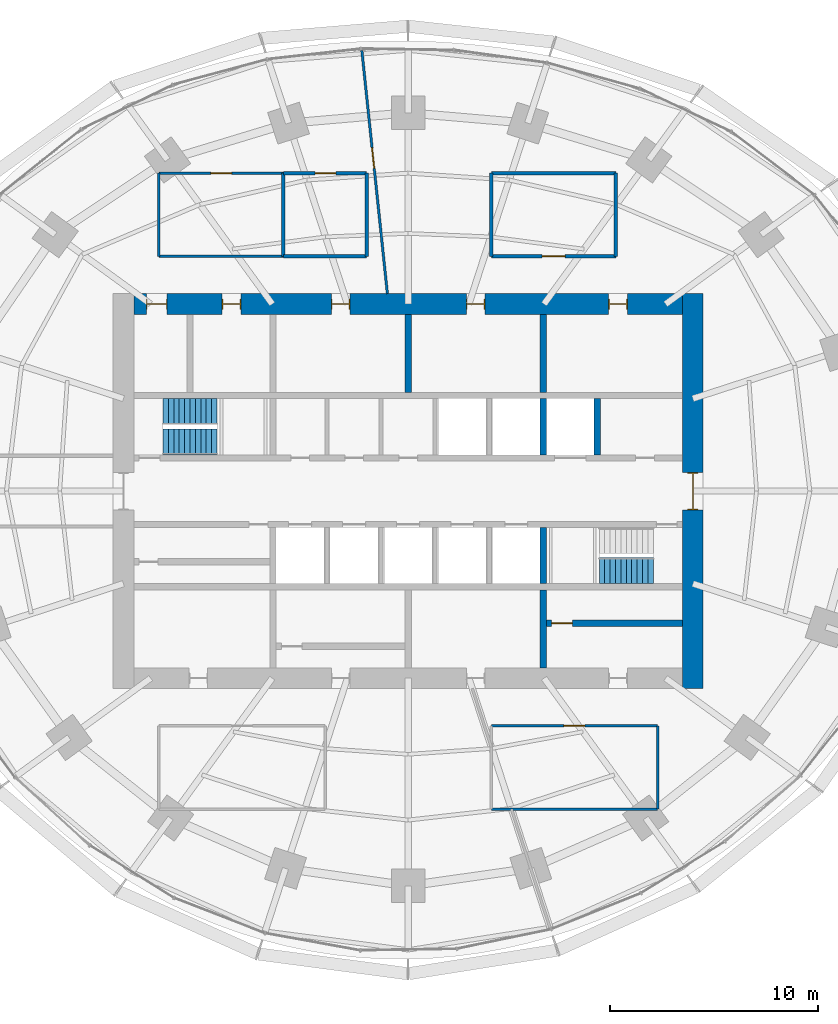
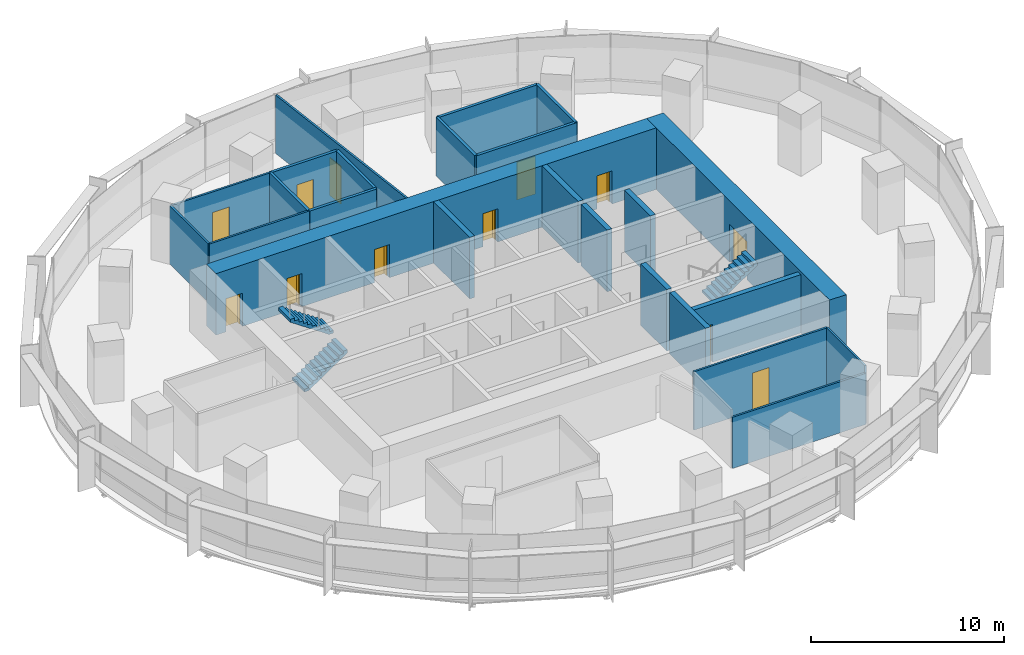
# One storey, part 11 of 14: 24 walls, 12 doors, 3 stair flights, 12 openings, 2 elements without a shape of their own.
"""IFC4 building model written with IfcOpenShell, lengths in metres."""

from ifc_helpers import new_model, si_unit, direction, frame, frame_2d, origin, place, context, subcontext, project, spatial, polyline, rectangle, outline, extrude, material, layer, layer_set, type_object, element, fill, aggregate, save


model = new_model("IFC4")

# Units and contexts
model_context = context("Model", 3, precision=1e-05, world=origin(), true_north=direction((0.0, 1.0)))
body_context = subcontext(model_context, "Body", "Model", "MODEL_VIEW")
ifc_project = project(units=[si_unit("LENGTHUNIT", "METRE"), si_unit("AREAUNIT", "SQUARE_METRE"), si_unit("VOLUMEUNIT", "CUBIC_METRE"), si_unit("PLANEANGLEUNIT", "RADIAN"), si_unit("MASSUNIT", "GRAM", prefix="KILO")], contexts=[model_context])

# Site, building, storey
site_placement = place(None, origin())
site = spatial("IfcSite", under=ifc_project, at=site_placement, CompositionType="ELEMENT")
building_placement = place(site_placement, origin())
building = spatial("IfcBuilding", under=site, at=building_placement, Name="Marramba Exchange Tower", CompositionType="ELEMENT")
storey_placement = place(building_placement, frame((0.0, 0.0, 162.60009765625)))
storey = spatial("IfcBuildingStorey", under=building, at=storey_placement, Name="L39", CompositionType="ELEMENT", Elevation=162.60009765625)

# Wall
ifc_material_1 = material(Name="Plasterboard on staggered double steel studs, acoustic insulation", Category="steel")
ifc_layer_1 = layer(ifc_material_1, 0.169921875)
ifc_layer_set_1 = layer_set([ifc_layer_1], Name="Acoustic partition 170")
wall_type_1 = type_object("IfcWallType", Name="Acoustic partition 170", PredefinedType="PARTITIONING", material=ifc_layer_set_1)
wall_1_placement = place(storey_placement, frame((10.0, 15.300048828125, 0.0), z_axis=(0.0, 0.0, 1.0), x_axis=(0.0, -1.0, 0.0)))
element("IfcWall", 1, at=wall_1_placement, inside=storey, type_object=wall_type_1, Name="Acoustic partition L39 12", PredefinedType="PARTITIONING", context=body_context, shape_type="SweptSolid", body=[
    extrude(rectangle(XDim=4.0, YDim=0.169921875, at=frame_2d((2.0, 0.0))), origin(), (0.0, 0.0, 1.0), 3.699951171875),
])

# Wall, opening, door
wall_2_placement = place(storey_placement, frame((10.0, 11.300048828125, 0.0), z_axis=(0.0, 0.0, 1.0), x_axis=(-1.0, 0.0, 0.0)))
wall_2 = element("IfcWall", 2, at=wall_2_placement, inside=storey, type_object=wall_type_1, Name="Acoustic partition L39 13", PredefinedType="PARTITIONING", context=body_context, shape_type="SweptSolid", body=[
    extrude(rectangle(XDim=6.0, YDim=0.169921875, at=frame_2d((3.0, 0.0))), origin(), (0.0, 0.0, 1.0), 3.699951171875),
])
opening_1_placement = place(wall_2_placement, frame((2.449951171875, 0.0, 0.0)))
opening_1 = element("IfcOpeningElement", 3, at=opening_1_placement, cuts=wall_2, Name="Opening D15", PredefinedType="OPENING", context=body_context, shape_type="SweptSolid", body=[
    extrude(rectangle(XDim=1.10009765625, YDim=2.39990234375, at=frame_2d((0.550048828125, 1.199951171875))), frame((0.0, 0.094970703125, 0.0), z_axis=(0.0, -1.0, 0.0), x_axis=(1.0, 0.0, 0.0)), (0.0, 0.0, 1.0), 0.18994140625),
])
ifc_material_2 = material(Name="Timber door", Category="wood")
door_type_1 = type_object("IfcDoorType", Name="Glazed meeting room door 1100x2400", OperationType="SINGLE_SWING_LEFT", PredefinedType="DOOR", material=ifc_material_2)
door_1_placement = place(opening_1_placement, frame((1.10009765625, 0.0, 0.0), z_axis=(0.0, 0.0, 1.0), x_axis=(-1.0, 0.0, 0.0)))
door_1 = element("IfcDoor", 4, at=door_1_placement, inside=storey, type_object=door_type_1, Name="D15 Meeting Room L39", OperationType="SINGLE_SWING_RIGHT", OverallHeight=2.39990234375, OverallWidth=1.10009765625, PredefinedType="DOOR", context=body_context, shape_type="SweptSolid", body=[
    extrude(rectangle(XDim=1.10009765625, YDim=2.39990234375, at=frame_2d((0.550048828125, 1.199951171875))), frame((0.0, 0.025146484375, 0.0), z_axis=(0.0, -1.0, 0.0), x_axis=(1.0, 0.0, 0.0)), (0.0, 0.0, 1.0), 0.050048828125),
])
fill(opening_1, door_1)

# Walls
wall_3_placement = place(storey_placement, frame((4.0, 15.300048828125, 0.0), z_axis=(0.0, 0.0, 1.0), x_axis=(1.0, 0.0, 0.0)))
element("IfcWall", 5, at=wall_3_placement, inside=storey, type_object=wall_type_1, Name="Acoustic partition L39 14", PredefinedType="PARTITIONING", context=body_context, shape_type="SweptSolid", body=[
    extrude(rectangle(XDim=6.0, YDim=0.169921875, at=frame_2d((3.0, 0.0))), origin(), (0.0, 0.0, 1.0), 3.699951171875),
])
for number, where, z_axis, x_axis, name in (
    (6, (4.0, 11.300048828125, 0.0), (0.0, 0.0, 1.0), (0.0, 1.0, 0.0), "Acoustic partition L39 15"),
    (7, (-2.0, 15.300048828125, 0.0), (0.0, 0.0, 1.0), (0.0, -1.0, 0.0), "Acoustic partition L39 17"),
):
    element("IfcWall", number, at=place(storey_placement, frame(where, z_axis=z_axis, x_axis=x_axis)), inside=storey, type_object=wall_type_1, Name=name, PredefinedType="PARTITIONING", context=body_context, shape_type="SweptSolid", body=[
        extrude(rectangle(XDim=4.0, YDim=0.169921875, at=frame_2d((2.0, 0.0))), origin(), (0.0, 0.0, 1.0), 3.699951171875),
    ])

# Wall, opening, door
wall_4_placement = place(storey_placement, frame((-6.0, 15.300048828125, 0.0), z_axis=(0.0, 0.0, 1.0), x_axis=(1.0, 0.0, 0.0)))
wall_4 = element("IfcWall", 8, at=wall_4_placement, inside=storey, type_object=wall_type_1, Name="Acoustic partition L39 18", PredefinedType="PARTITIONING", context=body_context, shape_type="SweptSolid", body=[
    extrude(rectangle(XDim=4.0, YDim=0.169921875, at=frame_2d((2.0, 0.0))), origin(), (0.0, 0.0, 1.0), 3.699951171875),
])
opening_2_placement = place(wall_4_placement, frame((1.52587890625, 0.0, 0.0)))
opening_2 = element("IfcOpeningElement", 9, at=opening_2_placement, cuts=wall_4, Name="Opening D9", PredefinedType="OPENING", context=body_context, shape_type="SweptSolid", body=[
    extrude(rectangle(XDim=1.0, YDim=2.39990234375, at=frame_2d((0.5, 1.199951171875))), frame((0.0, 0.094970703125, 0.0), z_axis=(0.0, -1.0, 0.0), x_axis=(1.0, 0.0, 0.0)), (0.0, 0.0, 1.0), 0.18994140625),
])
door_type_2 = type_object("IfcDoorType", Name="Room door 1000x2400", OperationType="SINGLE_SWING_LEFT", PredefinedType="DOOR", material=ifc_material_2)
door_2_placement = place(opening_2_placement, frame((1.0, 0.0, 0.0), z_axis=(0.0, 0.0, 1.0), x_axis=(-1.0, 0.0, 0.0)))
door_2 = element("IfcDoor", 10, at=door_2_placement, inside=storey, type_object=door_type_2, Name="D9 Quiet Room L39", OperationType="SINGLE_SWING_LEFT", OverallHeight=2.39990234375, OverallWidth=1.0, PredefinedType="DOOR", context=body_context, shape_type="SweptSolid", body=[
    extrude(rectangle(XDim=1.0, YDim=2.39990234375, at=frame_2d((0.5, 1.199951171875))), frame((0.0, 0.025146484375, 0.0), z_axis=(0.0, -1.0, 0.0), x_axis=(1.0, 0.0, 0.0)), (0.0, 0.0, 1.0), 0.050048828125),
])
fill(opening_2, door_2)

# Walls
for number, where, z_axis, x_axis, name in (
    (11, (-2.0, 11.300048828125, 0.0), (0.0, 0.0, 1.0), (-1.0, 0.0, 0.0), "Acoustic partition L39 19"),
    (12, (-6.0, 15.300048828125, 0.0), (0.0, 0.0, 1.0), (0.0, -1.0, 0.0), "Acoustic partition L39 20"),
):
    element("IfcWall", number, at=place(storey_placement, frame(where, z_axis=z_axis, x_axis=x_axis)), inside=storey, type_object=wall_type_1, Name=name, PredefinedType="PARTITIONING", context=body_context, shape_type="SweptSolid", body=[
        extrude(rectangle(XDim=4.0, YDim=0.169921875, at=frame_2d((2.0, 0.0))), origin(), (0.0, 0.0, 1.0), 3.699951171875),
    ])

# Wall, openings, doors
ifc_material_3 = material(Name="Concrete N50", Category="concrete")
ifc_layer_2 = layer(ifc_material_3, 1.0)
ifc_layer_set_2 = layer_set([ifc_layer_2], Name="Core wall 1000")
wall_type_2 = type_object("IfcWallType", Name="Core wall 1000", PredefinedType="SHEAR", material=ifc_layer_set_2)
wall_5_placement = place(storey_placement, frame((13.199951171875, 9.0, 0.0), z_axis=(0.0, 0.0, 1.0), x_axis=(-1.0, 0.0, 0.0)))
wall_5 = element("IfcWall", 13, at=wall_5_placement, inside=storey, type_object=wall_type_2, Name="Core wall N L39", PredefinedType="SHEAR", context=body_context, shape_type="SweptSolid", body=[
    extrude(rectangle(XDim=26.39990234375, YDim=1.0, at=frame_2d((13.199951171875, 0.0))), origin(), (0.0, 0.0, 1.0), 3.89990234375),
])
opening_3_placement = place(wall_5_placement, frame((2.64990234375, 0.0, 0.0)))
opening_3 = element("IfcOpeningElement", 14, at=opening_3_placement, cuts=wall_5, Name="Opening D5", PredefinedType="OPENING", context=body_context, shape_type="SweptSolid", body=[
    extrude(rectangle(XDim=0.89990234375, YDim=2.10009765625, at=frame_2d((0.449951171875, 1.050048828125))), frame((0.0, 0.510009765625, 0.0), z_axis=(0.0, -1.0, 0.0), x_axis=(1.0, 0.0, 0.0)), (0.0, 0.0, 1.0), 1.02001953125),
])
opening_4_placement = place(wall_5_placement, frame((9.5, 0.0, 0.0)))
opening_4 = element("IfcOpeningElement", 15, at=opening_4_placement, cuts=wall_5, Name="Opening D3", PredefinedType="OPENING", context=body_context, shape_type="SweptSolid", body=[
    extrude(rectangle(XDim=0.89990234375, YDim=2.10009765625, at=frame_2d((0.449951171875, 1.050048828125))), frame((0.0, 0.510009765625, 0.0), z_axis=(0.0, -1.0, 0.0), x_axis=(1.0, 0.0, 0.0)), (0.0, 0.0, 1.0), 1.02001953125),
])
opening_5_placement = place(wall_5_placement, frame((16.0, 0.0, 0.0)))
opening_5 = element("IfcOpeningElement", 16, at=opening_5_placement, cuts=wall_5, Name="Opening D3", PredefinedType="OPENING", context=body_context, shape_type="SweptSolid", body=[
    extrude(rectangle(XDim=0.89990234375, YDim=2.10009765625, at=frame_2d((0.449951171875, 1.050048828125))), frame((0.0, 0.510009765625, 0.0), z_axis=(0.0, -1.0, 0.0), x_axis=(1.0, 0.0, 0.0)), (0.0, 0.0, 1.0), 1.02001953125),
])
opening_6_placement = place(wall_5_placement, frame((21.25, 0.0, 0.0)))
opening_6 = element("IfcOpeningElement", 17, at=opening_6_placement, cuts=wall_5, Name="Opening D5", PredefinedType="OPENING", context=body_context, shape_type="SweptSolid", body=[
    extrude(rectangle(XDim=0.89990234375, YDim=2.10009765625, at=frame_2d((0.449951171875, 1.050048828125))), frame((0.0, 0.510009765625, 0.0), z_axis=(0.0, -1.0, 0.0), x_axis=(1.0, 0.0, 0.0)), (0.0, 0.0, 1.0), 1.02001953125),
])
opening_7_placement = place(wall_5_placement, frame((24.800048828125, 0.0, 0.0)))
opening_7 = element("IfcOpeningElement", 18, at=opening_7_placement, cuts=wall_5, Name="Opening D4", PredefinedType="OPENING", context=body_context, shape_type="SweptSolid", body=[
    extrude(rectangle(XDim=1.0, YDim=2.10009765625, at=frame_2d((0.5, 1.050048828125))), frame((0.0, 0.510009765625, 0.0), z_axis=(0.0, -1.0, 0.0), x_axis=(1.0, 0.0, 0.0)), (0.0, 0.0, 1.0), 1.02001953125),
])
ifc_material_4 = material(Name="Steel-framed door", Category="steel")
door_type_3 = type_object("IfcDoorType", Name="Accessible toilet door 1000x2100", OperationType="SINGLE_SWING_LEFT", PredefinedType="DOOR", material=ifc_material_4)
door_3_placement = place(opening_7_placement, origin())
door_3 = element("IfcDoor", 19, at=door_3_placement, inside=storey, type_object=door_type_3, Name="D4 awc L39", OperationType="SINGLE_SWING_RIGHT", OverallHeight=2.10009765625, OverallWidth=1.0, PredefinedType="DOOR", context=body_context, shape_type="SweptSolid", body=[
    extrude(rectangle(XDim=0.919921875, YDim=2.06005859375, at=frame_2d((0.5, 1.030029296875))), frame((0.0, 0.02490234375, 0.0), z_axis=(0.0, -1.0, 0.0), x_axis=(1.0, 0.0, 0.0)), (0.0, 0.0, 1.0), 0.050048828125),
    extrude(rectangle(XDim=0.04, YDim=2.10009765625, at=frame_2d((0.02001953125, 1.050048828125))), frame((0.0, 0.25, 0.0), z_axis=(0.0, -1.0, 0.0), x_axis=(1.0, 0.0, 0.0)), (0.0, 0.0, 1.0), 0.5),
    extrude(rectangle(XDim=0.04, YDim=2.10009765625, at=frame_2d((0.97998046875, 1.050048828125))), frame((0.0, 0.25, 0.0), z_axis=(0.0, -1.0, 0.0), x_axis=(1.0, 0.0, 0.0)), (0.0, 0.0, 1.0), 0.5),
    extrude(rectangle(XDim=0.919921875, YDim=0.04, at=frame_2d((0.5, 2.080078125))), frame((0.0, 0.25, 0.0), z_axis=(0.0, -1.0, 0.0), x_axis=(1.0, 0.0, 0.0)), (0.0, 0.0, 1.0), 0.5),
])
fill(opening_7, door_3)
door_type_4 = type_object("IfcDoorType", Name="Service door 900x2100", OperationType="SINGLE_SWING_LEFT", PredefinedType="DOOR", material=ifc_material_4)
door_4_placement = place(opening_3_placement, origin())
door_4 = element("IfcDoor", 20, at=door_4_placement, inside=storey, type_object=door_type_4, Name="D5 comms L39", OperationType="SINGLE_SWING_LEFT", OverallHeight=2.10009765625, OverallWidth=0.89990234375, PredefinedType="DOOR", context=body_context, shape_type="SweptSolid", body=[
    extrude(rectangle(XDim=0.81982421875, YDim=2.06005859375, at=frame_2d((0.449951171875, 1.030029296875))), frame((0.0, 0.02490234375, 0.0), z_axis=(0.0, -1.0, 0.0), x_axis=(1.0, 0.0, 0.0)), (0.0, 0.0, 1.0), 0.050048828125),
    extrude(rectangle(XDim=0.04, YDim=2.10009765625, at=frame_2d((0.02001953125, 1.050048828125))), frame((0.0, 0.25, 0.0), z_axis=(0.0, -1.0, 0.0), x_axis=(1.0, 0.0, 0.0)), (0.0, 0.0, 1.0), 0.5),
    extrude(rectangle(XDim=0.04, YDim=2.10009765625, at=frame_2d((0.8798828125, 1.050048828125))), frame((0.0, 0.25, 0.0), z_axis=(0.0, -1.0, 0.0), x_axis=(1.0, 0.0, 0.0)), (0.0, 0.0, 1.0), 0.5),
    extrude(rectangle(XDim=0.81982421875, YDim=0.04, at=frame_2d((0.449951171875, 2.080078125))), frame((0.0, 0.25, 0.0), z_axis=(0.0, -1.0, 0.0), x_axis=(1.0, 0.0, 0.0)), (0.0, 0.0, 1.0), 0.5),
])
fill(opening_3, door_4)
door_5_placement = place(opening_6_placement, origin())
door_5 = element("IfcDoor", 21, at=door_5_placement, inside=storey, type_object=door_type_4, Name="D5 cleaner L39", OperationType="SINGLE_SWING_RIGHT", OverallHeight=2.10009765625, OverallWidth=0.89990234375, PredefinedType="DOOR", context=body_context, shape_type="SweptSolid", body=[
    extrude(rectangle(XDim=0.81982421875, YDim=2.06005859375, at=frame_2d((0.449951171875, 1.030029296875))), frame((0.0, 0.02490234375, 0.0), z_axis=(0.0, -1.0, 0.0), x_axis=(1.0, 0.0, 0.0)), (0.0, 0.0, 1.0), 0.050048828125),
    extrude(rectangle(XDim=0.04, YDim=2.10009765625, at=frame_2d((0.02001953125, 1.050048828125))), frame((0.0, 0.25, 0.0), z_axis=(0.0, -1.0, 0.0), x_axis=(1.0, 0.0, 0.0)), (0.0, 0.0, 1.0), 0.5),
    extrude(rectangle(XDim=0.04, YDim=2.10009765625, at=frame_2d((0.8798828125, 1.050048828125))), frame((0.0, 0.25, 0.0), z_axis=(0.0, -1.0, 0.0), x_axis=(1.0, 0.0, 0.0)), (0.0, 0.0, 1.0), 0.5),
    extrude(rectangle(XDim=0.81982421875, YDim=0.04, at=frame_2d((0.449951171875, 2.080078125))), frame((0.0, 0.25, 0.0), z_axis=(0.0, -1.0, 0.0), x_axis=(1.0, 0.0, 0.0)), (0.0, 0.0, 1.0), 0.5),
])
fill(opening_6, door_5)
door_type_5 = type_object("IfcDoorType", Name="Toilet door 900x2100", OperationType="SINGLE_SWING_LEFT", PredefinedType="DOOR", material=ifc_material_4)
door_6_placement = place(opening_4_placement, origin())
door_6 = element("IfcDoor", 22, at=door_6_placement, inside=storey, type_object=door_type_5, Name="D3 wc-f L39", OperationType="SINGLE_SWING_RIGHT", OverallHeight=2.10009765625, OverallWidth=0.89990234375, PredefinedType="DOOR", context=body_context, shape_type="SweptSolid", body=[
    extrude(rectangle(XDim=0.81982421875, YDim=2.06005859375, at=frame_2d((0.449951171875, 1.030029296875))), frame((0.0, 0.02490234375, 0.0), z_axis=(0.0, -1.0, 0.0), x_axis=(1.0, 0.0, 0.0)), (0.0, 0.0, 1.0), 0.050048828125),
    extrude(rectangle(XDim=0.04, YDim=2.10009765625, at=frame_2d((0.02001953125, 1.050048828125))), frame((0.0, 0.25, 0.0), z_axis=(0.0, -1.0, 0.0), x_axis=(1.0, 0.0, 0.0)), (0.0, 0.0, 1.0), 0.5),
    extrude(rectangle(XDim=0.04, YDim=2.10009765625, at=frame_2d((0.8798828125, 1.050048828125))), frame((0.0, 0.25, 0.0), z_axis=(0.0, -1.0, 0.0), x_axis=(1.0, 0.0, 0.0)), (0.0, 0.0, 1.0), 0.5),
    extrude(rectangle(XDim=0.81982421875, YDim=0.04, at=frame_2d((0.449951171875, 2.080078125))), frame((0.0, 0.25, 0.0), z_axis=(0.0, -1.0, 0.0), x_axis=(1.0, 0.0, 0.0)), (0.0, 0.0, 1.0), 0.5),
])
fill(opening_4, door_6)
door_7_placement = place(opening_5_placement, origin())
door_7 = element("IfcDoor", 23, at=door_7_placement, inside=storey, type_object=door_type_5, Name="D3 wc-m L39", OperationType="SINGLE_SWING_RIGHT", OverallHeight=2.10009765625, OverallWidth=0.89990234375, PredefinedType="DOOR", context=body_context, shape_type="SweptSolid", body=[
    extrude(rectangle(XDim=0.81982421875, YDim=2.06005859375, at=frame_2d((0.449951171875, 1.030029296875))), frame((0.0, 0.02490234375, 0.0), z_axis=(0.0, -1.0, 0.0), x_axis=(1.0, 0.0, 0.0)), (0.0, 0.0, 1.0), 0.050048828125),
    extrude(rectangle(XDim=0.04, YDim=2.10009765625, at=frame_2d((0.02001953125, 1.050048828125))), frame((0.0, 0.25, 0.0), z_axis=(0.0, -1.0, 0.0), x_axis=(1.0, 0.0, 0.0)), (0.0, 0.0, 1.0), 0.5),
    extrude(rectangle(XDim=0.04, YDim=2.10009765625, at=frame_2d((0.8798828125, 1.050048828125))), frame((0.0, 0.25, 0.0), z_axis=(0.0, -1.0, 0.0), x_axis=(1.0, 0.0, 0.0)), (0.0, 0.0, 1.0), 0.5),
    extrude(rectangle(XDim=0.81982421875, YDim=0.04, at=frame_2d((0.449951171875, 2.080078125))), frame((0.0, 0.25, 0.0), z_axis=(0.0, -1.0, 0.0), x_axis=(1.0, 0.0, 0.0)), (0.0, 0.0, 1.0), 0.5),
])
fill(opening_5, door_7)

# Wall, opening, door
wall_6_placement = place(storey_placement, frame((13.699951171875, -9.5, 0.0), z_axis=(0.0, 0.0, 1.0), x_axis=(0.0, 1.0, 0.0)))
wall_6 = element("IfcWall", 24, at=wall_6_placement, inside=storey, type_object=wall_type_2, Name="Core wall E L39", PredefinedType="SHEAR", context=body_context, shape_type="SweptSolid", body=[
    extrude(rectangle(XDim=19.0, YDim=1.0, at=frame_2d((9.5, 0.0))), origin(), (0.0, 0.0, 1.0), 3.89990234375),
])
opening_8_placement = place(wall_6_placement, frame((8.60009765625, 0.0, 0.0)))
opening_8 = element("IfcOpeningElement", 25, at=opening_8_placement, cuts=wall_6, Name="Opening D1", PredefinedType="OPENING", context=body_context, shape_type="SweptSolid", body=[
    extrude(rectangle(XDim=1.800048828125, YDim=2.39990234375, at=frame_2d((0.89990234375, 1.199951171875))), frame((0.0, 0.510009765625, 0.0), z_axis=(0.0, -1.0, 0.0), x_axis=(1.0, 0.0, 0.0)), (0.0, 0.0, 1.0), 1.02001953125),
])
door_type_6 = type_object("IfcDoorType", Name="Lobby exit door 1800x2400", OperationType="DOUBLE_DOOR_SINGLE_SWING", PredefinedType="DOOR", material=ifc_material_4)
door_8_placement = place(opening_8_placement, origin())
door_8 = element("IfcDoor", 26, at=door_8_placement, inside=storey, type_object=door_type_6, Name="D1 lobby exit east L39", OperationType="DOUBLE_DOOR_SINGLE_SWING", OverallHeight=2.39990234375, OverallWidth=1.800048828125, PredefinedType="DOOR", context=body_context, shape_type="SweptSolid", body=[
    extrude(rectangle(XDim=1.719970703125, YDim=2.35986328125, at=frame_2d((0.89990234375, 1.179931640625))), frame((0.0, 0.02490234375, 0.0), z_axis=(0.0, -1.0, 0.0), x_axis=(1.0, 0.0, 0.0)), (0.0, 0.0, 1.0), 0.050048828125),
    extrude(rectangle(XDim=0.04, YDim=2.39990234375, at=frame_2d((0.02001953125, 1.199951171875))), frame((0.0, 0.25, 0.0), z_axis=(0.0, -1.0, 0.0), x_axis=(1.0, 0.0, 0.0)), (0.0, 0.0, 1.0), 0.5),
    extrude(rectangle(XDim=0.04, YDim=2.39990234375, at=frame_2d((1.780029296875, 1.199951171875))), frame((0.0, 0.25, 0.0), z_axis=(0.0, -1.0, 0.0), x_axis=(1.0, 0.0, 0.0)), (0.0, 0.0, 1.0), 0.5),
    extrude(rectangle(XDim=1.719970703125, YDim=0.04, at=frame_2d((0.89990234375, 2.3798828125))), frame((0.0, 0.25, 0.0), z_axis=(0.0, -1.0, 0.0), x_axis=(1.0, 0.0, 0.0)), (0.0, 0.0, 1.0), 0.5),
])
fill(opening_8, door_8)

# Walls
ifc_layer_3 = layer(ifc_material_3, 0.300048828125)
ifc_layer_set_3 = layer_set([ifc_layer_3], Name="Core wall 300")
wall_type_3 = type_object("IfcWallType", Name="Core wall 300", PredefinedType="SHEAR", material=ifc_layer_set_3)
wall_7_placement = place(storey_placement, frame((6.5, 1.75, 0.0), z_axis=(0.0, 0.0, 1.0), x_axis=(0.0, 1.0, 0.0)))
element("IfcWall", 27, at=wall_7_placement, inside=storey, type_object=wall_type_3, Name="Core wall X1Na L39", PredefinedType="SHEAR", context=body_context, shape_type="SweptSolid", body=[
    extrude(rectangle(XDim=2.699951171875, YDim=0.300048828125, at=frame_2d((1.35009765625, 0.0))), origin(), (0.0, 0.0, 1.0), 3.89990234375),
])
for number, where, z_axis, x_axis, name in (
    (28, (6.5, 4.75, 0.0), (0.0, 0.0, 1.0), (0.0, 1.0, 0.0), "Core wall X1Nb L39"),
    (29, (0.0, 4.75, 0.0), (0.0, 0.0, 1.0), (0.0, 1.0, 0.0), "Core wall MN L39"),
):
    element("IfcWall", number, at=place(storey_placement, frame(where, z_axis=z_axis, x_axis=x_axis)), inside=storey, type_object=wall_type_3, Name=name, PredefinedType="SHEAR", context=body_context, shape_type="SweptSolid", body=[
        extrude(rectangle(XDim=3.75, YDim=0.300048828125, at=frame_2d((1.875, 0.0))), origin(), (0.0, 0.0, 1.0), 3.89990234375),
    ])
wall_8_placement = place(storey_placement, frame((6.5, -1.75, 0.0), z_axis=(0.0, 0.0, 1.0), x_axis=(0.0, -1.0, 0.0)))
element("IfcWall", 30, at=wall_8_placement, inside=storey, type_object=wall_type_3, Name="Core wall X1Sa L39", PredefinedType="SHEAR", context=body_context, shape_type="SweptSolid", body=[
    extrude(rectangle(XDim=2.699951171875, YDim=0.300048828125, at=frame_2d((1.35009765625, 0.0))), origin(), (0.0, 0.0, 1.0), 3.89990234375),
])
wall_9_placement = place(storey_placement, frame((6.5, -4.75, 0.0), z_axis=(0.0, 0.0, 1.0), x_axis=(0.0, -1.0, 0.0)))
element("IfcWall", 31, at=wall_9_placement, inside=storey, type_object=wall_type_3, Name="Core wall X1Sb L39", PredefinedType="SHEAR", context=body_context, shape_type="SweptSolid", body=[
    extrude(rectangle(XDim=3.75, YDim=0.300048828125, at=frame_2d((1.875, 0.0))), origin(), (0.0, 0.0, 1.0), 3.89990234375),
])
wall_10_placement = place(storey_placement, frame((9.10009765625, 1.75, 0.0), z_axis=(0.0, 0.0, 1.0), x_axis=(0.0, 1.0, 0.0)))
element("IfcWall", 32, at=wall_10_placement, inside=storey, type_object=wall_type_3, Name="Core wall ED L39", PredefinedType="SHEAR", context=body_context, shape_type="SweptSolid", body=[
    extrude(rectangle(XDim=2.699951171875, YDim=0.300048828125, at=frame_2d((1.35009765625, 0.0))), origin(), (0.0, 0.0, 1.0), 3.89990234375),
])
ifc_material_5 = material(Name="Plasterboard on steel studs", Category="steel")
ifc_layer_4 = layer(ifc_material_5, 0.1201171875)
ifc_layer_set_4 = layer_set([ifc_layer_4], Name="Partition 120")
wall_type_4 = type_object("IfcWallType", Name="Partition 120", PredefinedType="PARTITIONING", material=ifc_layer_set_4)
wall_11_placement = place(storey_placement, frame((4.0, -15.300048828125, 0.0), z_axis=(0.0, 0.0, 1.0), x_axis=(1.0, 0.0, 0.0)))
element("IfcWall", 33, at=wall_11_placement, inside=storey, type_object=wall_type_4, Name="Partition L39 09", PredefinedType="PARTITIONING", context=body_context, shape_type="SweptSolid", body=[
    extrude(rectangle(XDim=8.0, YDim=0.1201171875, at=frame_2d((4.0, 0.0))), origin(), (0.0, 0.0, 1.0), 3.239990234375),
])

# Wall, opening, door
wall_12_placement = place(storey_placement, frame((12.0, -11.300048828125, 0.0), z_axis=(0.0, 0.0, 1.0), x_axis=(-1.0, 0.0, 0.0)))
wall_12 = element("IfcWall", 34, at=wall_12_placement, inside=storey, type_object=wall_type_4, Name="Partition L39 10", PredefinedType="PARTITIONING", context=body_context, shape_type="SweptSolid", body=[
    extrude(rectangle(XDim=8.0, YDim=0.1201171875, at=frame_2d((4.0, 0.0))), origin(), (0.0, 0.0, 1.0), 3.699951171875),
])
opening_9_placement = place(wall_12_placement, frame((3.5, 0.0, 0.0)))
opening_9 = element("IfcOpeningElement", 35, at=opening_9_placement, cuts=wall_12, Name="Opening D9", PredefinedType="OPENING", context=body_context, shape_type="SweptSolid", body=[
    extrude(rectangle(XDim=1.0, YDim=2.39990234375, at=frame_2d((0.5, 1.199951171875))), frame((0.0, 0.070068359375, 0.0), z_axis=(0.0, -1.0, 0.0), x_axis=(1.0, 0.0, 0.0)), (0.0, 0.0, 1.0), 0.14013671875),
])
door_9_placement = place(opening_9_placement, origin())
door_9 = element("IfcDoor", 36, at=door_9_placement, inside=storey, type_object=door_type_2, Name="D9 Pantry L39", OperationType="SINGLE_SWING_RIGHT", OverallHeight=2.39990234375, OverallWidth=1.0, PredefinedType="DOOR", context=body_context, shape_type="SweptSolid", body=[
    extrude(rectangle(XDim=1.0, YDim=2.39990234375, at=frame_2d((0.5, 1.199951171875))), frame((0.0, 0.02490234375, 0.0), z_axis=(0.0, -1.0, 0.0), x_axis=(1.0, 0.0, 0.0)), (0.0, 0.0, 1.0), 0.050048828125),
])
fill(opening_9, door_9)

# Wall
wall_13_placement = place(storey_placement, frame((12.0, -15.300048828125, 0.0), z_axis=(0.0, 0.0, 1.0), x_axis=(0.0, 1.0, 0.0)))
element("IfcWall", 37, at=wall_13_placement, inside=storey, type_object=wall_type_4, Name="Partition L39 11", PredefinedType="PARTITIONING", context=body_context, shape_type="SweptSolid", body=[
    extrude(rectangle(XDim=4.0, YDim=0.1201171875, at=frame_2d((2.0, 0.0))), origin(), (0.0, 0.0, 1.0), 3.699951171875),
])

# Wall, opening, door
wall_14_placement = place(storey_placement, frame((-2.2294921875, 21.212158203125, 0.0), z_axis=(0.0, 0.0, 1.0), x_axis=(0.104525070238, -0.994522251984, 0.0)))
wall_14 = element("IfcWall", 38, at=wall_14_placement, inside=storey, type_object=wall_type_4, Name="Partition L39 16", PredefinedType="PARTITIONING", context=body_context, shape_type="SweptSolid", body=[
    extrude(rectangle(XDim=11.776611328125, YDim=0.1201171875, at=frame_2d((5.88818359375, 0.0))), origin(), (0.0, 0.0, 1.0), 3.699951171875),
])
opening_10_placement = place(wall_14_placement, frame((4.7119140625, 0.0, 0.0)))
opening_10 = element("IfcOpeningElement", 39, at=opening_10_placement, cuts=wall_14, Name="Opening D9", PredefinedType="OPENING", context=body_context, shape_type="SweptSolid", body=[
    extrude(rectangle(XDim=1.0, YDim=2.39990234375, at=frame_2d((0.5, 1.199951171875))), frame((0.0, 0.070068359375, 0.0), z_axis=(0.0, -1.0, 0.0), x_axis=(1.0, 0.0, 0.0)), (0.0, 0.0, 1.0), 0.14013671875),
])
door_10_placement = place(opening_10_placement, origin())
door_10 = element("IfcDoor", 40, at=door_10_placement, inside=storey, type_object=door_type_2, Name="D9 Staff Lounge L39", OperationType="SINGLE_SWING_LEFT", OverallHeight=2.39990234375, OverallWidth=1.0, PredefinedType="DOOR", context=body_context, shape_type="SweptSolid", body=[
    extrude(rectangle(XDim=1.0, YDim=2.39990234375, at=frame_2d((0.5, 1.199951171875))), frame((0.0, 0.02490234375, 0.0), z_axis=(0.0, -1.0, 0.0), x_axis=(1.0, 0.0, 0.0)), (0.0, 0.0, 1.0), 0.050048828125),
])
fill(opening_10, door_10)

wall_15_placement = place(storey_placement, frame((-12.0, 15.300048828125, 0.0), z_axis=(0.0, 0.0, 1.0), x_axis=(1.0, 0.0, 0.0)))
wall_15 = element("IfcWall", 41, at=wall_15_placement, inside=storey, type_object=wall_type_4, Name="Partition L39 21", PredefinedType="PARTITIONING", context=body_context, shape_type="SweptSolid", body=[
    extrude(rectangle(XDim=6.0, YDim=0.1201171875, at=frame_2d((3.0, 0.0))), origin(), (0.0, 0.0, 1.0), 3.699951171875),
])
opening_11_placement = place(wall_15_placement, frame((2.5, 0.0, 0.0)))
opening_11 = element("IfcOpeningElement", 42, at=opening_11_placement, cuts=wall_15, Name="Opening D9", PredefinedType="OPENING", context=body_context, shape_type="SweptSolid", body=[
    extrude(rectangle(XDim=1.0, YDim=2.39990234375, at=frame_2d((0.5, 1.199951171875))), frame((0.0, 0.070068359375, 0.0), z_axis=(0.0, -1.0, 0.0), x_axis=(1.0, 0.0, 0.0)), (0.0, 0.0, 1.0), 0.14013671875),
])
door_11_placement = place(opening_11_placement, frame((1.0, 0.0, 0.0), z_axis=(0.0, 0.0, 1.0), x_axis=(-1.0, 0.0, 0.0)))
door_11 = element("IfcDoor", 43, at=door_11_placement, inside=storey, type_object=door_type_2, Name="D9 First Aid Room L39", OperationType="SINGLE_SWING_RIGHT", OverallHeight=2.39990234375, OverallWidth=1.0, PredefinedType="DOOR", context=body_context, shape_type="SweptSolid", body=[
    extrude(rectangle(XDim=1.0, YDim=2.39990234375, at=frame_2d((0.5, 1.199951171875))), frame((0.0, 0.025146484375, 0.0), z_axis=(0.0, -1.0, 0.0), x_axis=(1.0, 0.0, 0.0)), (0.0, 0.0, 1.0), 0.050048828125),
])
fill(opening_11, door_11)

# Walls
wall_16_placement = place(storey_placement, frame((-6.0, 11.300048828125, 0.0), z_axis=(0.0, 0.0, 1.0), x_axis=(-1.0, 0.0, 0.0)))
element("IfcWall", 44, at=wall_16_placement, inside=storey, type_object=wall_type_4, Name="Partition L39 22", PredefinedType="PARTITIONING", context=body_context, shape_type="SweptSolid", body=[
    extrude(rectangle(XDim=6.0, YDim=0.1201171875, at=frame_2d((3.0, 0.0))), origin(), (0.0, 0.0, 1.0), 3.699951171875),
])
wall_17_placement = place(storey_placement, frame((-12.0, 11.300048828125, 0.0), z_axis=(0.0, 0.0, 1.0), x_axis=(0.0, 1.0, 0.0)))
element("IfcWall", 45, at=wall_17_placement, inside=storey, type_object=wall_type_4, Name="Partition L39 23", PredefinedType="PARTITIONING", context=body_context, shape_type="SweptSolid", body=[
    extrude(rectangle(XDim=4.0, YDim=0.1201171875, at=frame_2d((2.0, 0.0))), origin(), (0.0, 0.0, 1.0), 3.699951171875),
])

# Wall, opening, door
ifc_material_6 = material(Name="Plasterboard on steel studs, insulated, unrated", Category="steel")
ifc_layer_5 = layer(ifc_material_6, 0.300048828125)
ifc_layer_set_5 = layer_set([ifc_layer_5], Name="Store partition 300")
wall_type_5 = type_object("IfcWallType", Name="Store partition 300", PredefinedType="PARTITIONING", material=ifc_layer_set_5)
wall_18_placement = place(storey_placement, frame((6.64990234375, -6.360107421875, 0.0), z_axis=(0.0, 0.0, 1.0), x_axis=(1.0, 0.0, 0.0)))
wall_18 = element("IfcWall", 46, at=wall_18_placement, inside=storey, type_object=wall_type_5, Name="Store partition L39 cstore", PredefinedType="PARTITIONING", context=body_context, shape_type="SweptSolid", body=[
    extrude(rectangle(XDim=6.550048828125, YDim=0.300048828125, at=frame_2d((3.27490234375, 0.0))), origin(), (0.0, 0.0, 1.0), 3.699951171875),
])
opening_12_placement = place(wall_18_placement, frame((0.25, 0.0, 0.0)))
opening_12 = element("IfcOpeningElement", 47, at=opening_12_placement, cuts=wall_18, Name="Opening D9", PredefinedType="OPENING", context=body_context, shape_type="SweptSolid", body=[
    extrude(rectangle(XDim=1.0, YDim=2.39990234375, at=frame_2d((0.5, 1.199951171875))), frame((0.0, 0.159912109375, 0.0), z_axis=(0.0, -1.0, 0.0), x_axis=(1.0, 0.0, 0.0)), (0.0, 0.0, 1.0), 0.320068359375),
])
door_12_placement = place(opening_12_placement, origin())
door_12 = element("IfcDoor", 48, at=door_12_placement, inside=storey, type_object=door_type_2, Name="D9 general store L39", OperationType="SINGLE_SWING_LEFT", OverallHeight=2.39990234375, OverallWidth=1.0, PredefinedType="DOOR", context=body_context, shape_type="SweptSolid", body=[
    extrude(rectangle(XDim=1.0, YDim=2.39990234375, at=frame_2d((0.5, 1.199951171875))), frame((0.0, 0.02490234375, 0.0), z_axis=(0.0, -1.0, 0.0), x_axis=(1.0, 0.0, 0.0)), (0.0, 0.0, 1.0), 0.050048828125),
])
fill(opening_12, door_12)

# Stair, stair flights
ifc_material_7 = material(Name="Concrete N40 (40 MPa)", Category="concrete")
stair_type_1 = type_object("IfcStairType", Name="Exit stair ST1 3900 x 1250", PredefinedType="HALF_TURN_STAIR", material=ifc_material_7)
stair_1_placement = place(storey_placement, origin())
stair_1 = element("IfcStair", 49, at=stair_1_placement, inside=storey, type_object=stair_type_1, Name="Exit stair ST1 L39", PredefinedType="HALF_TURN_STAIR")
stair_flight_type_1 = type_object("IfcStairFlightType", Name="ST1 stair flight 1773 riser 1250 wide", PredefinedType="STRAIGHT", material=ifc_material_7)
stair_flight_1_placement = place(storey_placement, frame((-11.800048828125, 2.375, 0.0), z_axis=(0.0, 0.0, 1.0), x_axis=(1.0, 0.0, 0.0)))
stair_flight_1 = element("IfcStairFlight", 50, at=stair_flight_1_placement, type_object=stair_flight_type_1, Name="ST1 flight 1", NumberOfRisers=11, NumberOfTreads=10, PredefinedType="STRAIGHT", RiserHeight=0.177272727, TreadLength=0.26, context=body_context, shape_type="SweptSolid", body=[
    extrude(outline(polyline([(0.0, 0.0), (0.0, 0.17724609375), (0.260009765625, 0.17724609375), (0.260009765625, 0.3544921875), (0.52001953125, 0.3544921875), (0.52001953125, 0.53173828125), (0.780029296875, 0.53173828125), (0.780029296875, 0.708984375), (1.0400390625, 0.708984375), (1.0400390625, 0.886474609375), (1.300048828125, 0.886474609375), (1.300048828125, 1.063720703125), (1.56005859375, 1.063720703125), (1.56005859375, 1.240966796875), (1.820068359375, 1.240966796875), (1.820068359375, 1.418212890625), (2.080078125, 1.418212890625), (2.080078125, 1.595458984375), (2.340087890625, 1.595458984375), (2.340087890625, 1.772705078125), (2.60009765625, 1.772705078125), (2.60009765625, 1.949951171875), (2.60009765625, 1.59130859375), (0.26611328125, 0.0), (0.0, 0.0)])), frame((0.0, 0.625, 0.0), z_axis=(0.0, -1.0, 0.0), x_axis=(1.0, 0.0, 0.0)), (0.0, 0.0, 1.0), 1.25),
])
stair_flight_2_placement = place(storey_placement, frame((-9.199951171875, 3.824951171875, 1.949951171875), z_axis=(0.0, 0.0, 1.0), x_axis=(-1.0, 0.0, 0.0)))
stair_flight_2 = element("IfcStairFlight", 51, at=stair_flight_2_placement, type_object=stair_flight_type_1, Name="ST1 flight 2", NumberOfRisers=11, NumberOfTreads=10, PredefinedType="STRAIGHT", RiserHeight=0.177272727, TreadLength=0.26, context=body_context, shape_type="SweptSolid", body=[
    extrude(outline(polyline([(0.0, 0.0), (0.0, 0.17724609375), (0.260009765625, 0.17724609375), (0.260009765625, 0.3544921875), (0.52001953125, 0.3544921875), (0.52001953125, 0.53173828125), (0.780029296875, 0.53173828125), (0.780029296875, 0.708984375), (1.0400390625, 0.708984375), (1.0400390625, 0.886474609375), (1.300048828125, 0.886474609375), (1.300048828125, 1.063720703125), (1.56005859375, 1.063720703125), (1.56005859375, 1.240966796875), (1.820068359375, 1.240966796875), (1.820068359375, 1.418212890625), (2.080078125, 1.418212890625), (2.080078125, 1.595458984375), (2.340087890625, 1.595458984375), (2.340087890625, 1.772705078125), (2.60009765625, 1.772705078125), (2.60009765625, 1.949951171875), (2.60009765625, 1.59130859375), (0.26611328125, 0.0), (0.0, 0.0)])), frame((0.0, 0.625, 0.0), z_axis=(0.0, -1.0, 0.0), x_axis=(1.0, 0.0, 0.0)), (0.0, 0.0, 1.0), 1.25),
])
aggregate(stair_1, [stair_flight_1, stair_flight_2])

# Stair, stair flight
stair_type_2 = type_object("IfcStairType", Name="Exit stair ST2 3900 x 1250", PredefinedType="HALF_TURN_STAIR", material=ifc_material_7)
stair_2_placement = place(storey_placement, origin())
stair_2 = element("IfcStair", 52, at=stair_2_placement, inside=storey, type_object=stair_type_2, Name="Exit stair ST2 L39", PredefinedType="HALF_TURN_STAIR")
stair_flight_type_2 = type_object("IfcStairFlightType", Name="ST2 stair flight 1773 riser 1250 wide", PredefinedType="STRAIGHT", material=ifc_material_7)
stair_flight_3_placement = place(storey_placement, frame((9.199951171875, -3.824951171875, 1.949951171875), z_axis=(0.0, 0.0, 1.0), x_axis=(1.0, 0.0, 0.0)))
stair_flight_3 = element("IfcStairFlight", 53, at=stair_flight_3_placement, type_object=stair_flight_type_2, Name="ST2 flight 2", NumberOfRisers=11, NumberOfTreads=10, PredefinedType="STRAIGHT", RiserHeight=0.177272727, TreadLength=0.26, context=body_context, shape_type="SweptSolid", body=[
    extrude(outline(polyline([(0.0, 0.0), (0.0, 0.17724609375), (0.260009765625, 0.17724609375), (0.260009765625, 0.3544921875), (0.52001953125, 0.3544921875), (0.52001953125, 0.53173828125), (0.780029296875, 0.53173828125), (0.780029296875, 0.708984375), (1.0400390625, 0.708984375), (1.0400390625, 0.886474609375), (1.300048828125, 0.886474609375), (1.300048828125, 1.063720703125), (1.56005859375, 1.063720703125), (1.56005859375, 1.240966796875), (1.820068359375, 1.240966796875), (1.820068359375, 1.418212890625), (2.080078125, 1.418212890625), (2.080078125, 1.595458984375), (2.340087890625, 1.595458984375), (2.340087890625, 1.772705078125), (2.60009765625, 1.772705078125), (2.60009765625, 1.949951171875), (2.60009765625, 1.59130859375), (0.26611328125, 0.0), (0.0, 0.0)])), frame((0.0, 0.625, 0.0), z_axis=(0.0, -1.0, 0.0), x_axis=(1.0, 0.0, 0.0)), (0.0, 0.0, 1.0), 1.25),
])
aggregate(stair_2, [stair_flight_3])

save(model, "model.ifc")
